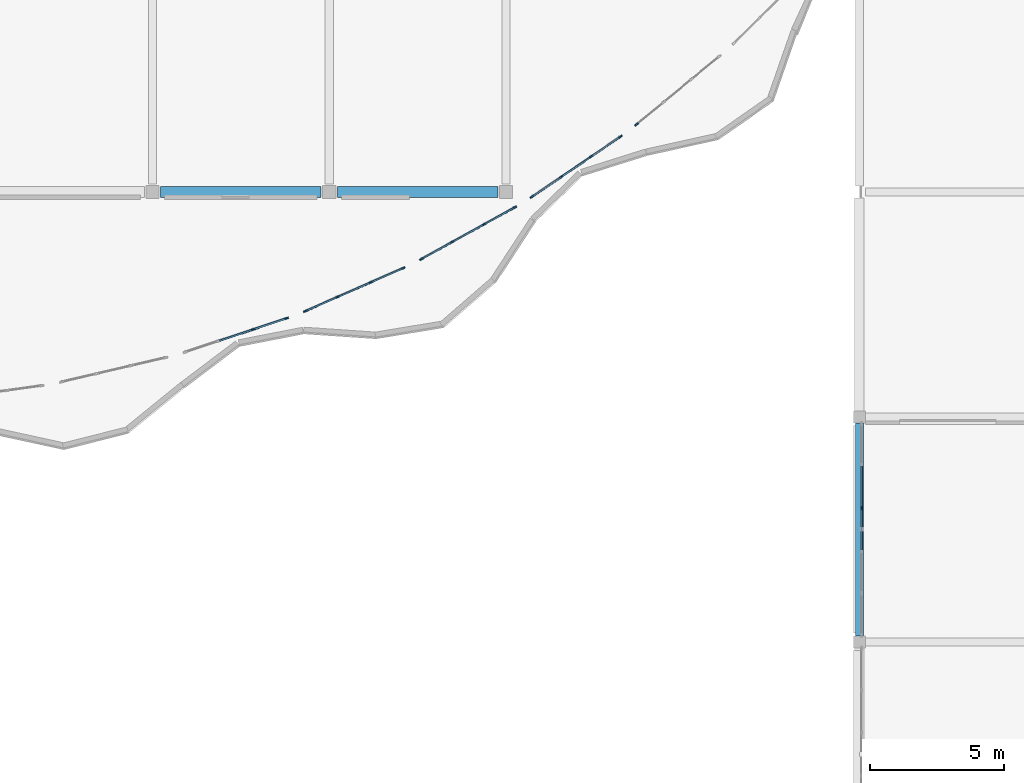
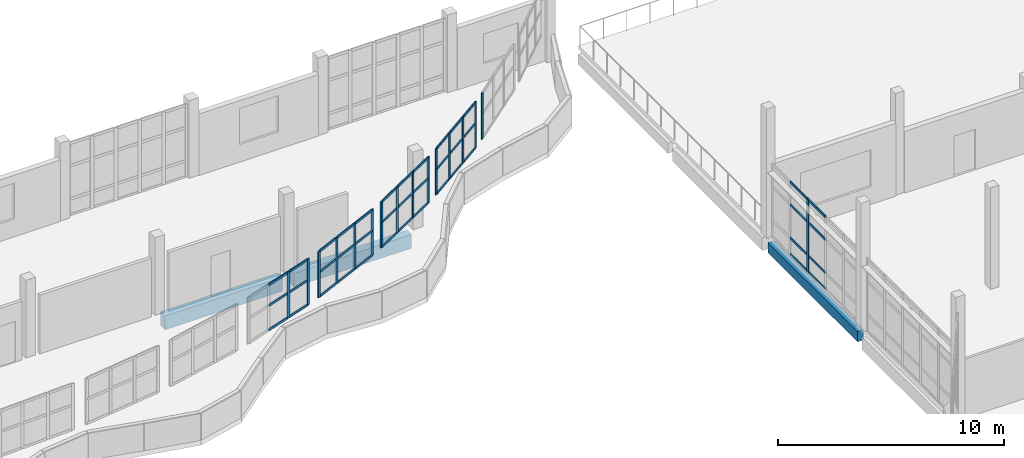
# One storey, part 35 of 78: 57 members, 3 beams, 6 elements without a shape of their own.
"""IFC4 building model written with IfcOpenShell, lengths in metres."""

from ifc_helpers import new_model, si_unit, direction, frame, origin, origin_2d, place, context, subcontext, project, spatial, rectangle, extrude, material, material_profile, profile_set, type_object, element, aggregate, save


model = new_model("IFC4")

# Units and contexts
model_context = context("Model", 3, precision=1e-05, world=origin(), true_north=direction((0.0, 1.0)))
body_context = subcontext(model_context, "Body", "Model", "MODEL_VIEW")
ifc_project = project(units=[si_unit("LENGTHUNIT", "METRE"), si_unit("AREAUNIT", "SQUARE_METRE"), si_unit("VOLUMEUNIT", "CUBIC_METRE"), si_unit("PLANEANGLEUNIT", "RADIAN"), si_unit("MASSUNIT", "GRAM", prefix="KILO")], contexts=[model_context])

# Site, building, storey
site_placement = place(None, origin())
site = spatial("IfcSite", under=ifc_project, at=site_placement, CompositionType="ELEMENT")
building_placement = place(site_placement, origin())
building = spatial("IfcBuilding", under=site, at=building_placement, Name="Qaldarim Faculty of Natural and Applied Sciences", CompositionType="ELEMENT")
storey_placement = place(building_placement, frame((0.0, 0.0, 18.60009765625)))
storey = spatial("IfcBuildingStorey", under=building, at=storey_placement, Name="L04", CompositionType="ELEMENT", Elevation=18.60009765625)

# Beams
ifc_material_1 = material(Name="Concrete C40/50", Category="concrete")
ifc_material_profile_1 = material_profile(ifc_material_1, rectangle(XDim=0.300048828125, YDim=0.550048828125, at=origin_2d()), Name="RC-B300x550")
ifc_profile_set_1 = profile_set([ifc_material_profile_1], Name="Concrete C40/50")
beam_type_1 = type_object("IfcBeamType", Name="FloorBeam-RC300x550", PredefinedType="BEAM", material=ifc_profile_set_1)
beam_placement = place(storey_placement, frame((151.800048828125, 92.625, -0.53515625), z_axis=(0.0, 1.0, 0.0), x_axis=(-1.0, 0.0, 0.0)))
element("IfcBeam", 1, at=beam_placement, inside=storey, type_object=beam_type_1, Name="Beam RC-B300x550 L03 X24/Y12-Y13", PredefinedType="BEAM", context=body_context, shape_type="SweptSolid", body=[
    extrude(rectangle(XDim=0.300048828125, YDim=0.550048828125, at=origin_2d()), origin(), (0.0, 0.0, 1.0), 7.949951171875),
])
ifc_material_2 = material(Name="Concrete C50/60", Category="concrete")
ifc_material_profile_2 = material_profile(ifc_material_2, rectangle(XDim=0.39990234375, YDim=0.75, at=origin_2d()), Name="RC-B400x750")
ifc_profile_set_2 = profile_set([ifc_material_profile_2], Name="Concrete C50/60")
beam_type_2 = type_object("IfcBeamType", Name="LabGirder-RC400x750", PredefinedType="BEAM", material=ifc_profile_set_2)
for number, where, z_axis, x_axis, name in (
    (2, (125.699951171875, 109.199951171875, -0.635009765625), (1.0, 0.0, 0.0), (0.0, 1.0, 0.0), "Beam RC-B400x750 L03 X20-X21/Y14"),
    (3, (132.300048828125, 109.199951171875, -0.635009765625), (1.0, 0.0, 0.0), (0.0, 1.0, 0.0), "Beam RC-B400x750 L03 X21-X22/Y14"),
):
    element("IfcBeam", number, at=place(storey_placement, frame(where, z_axis=z_axis, x_axis=x_axis)), inside=storey, type_object=beam_type_2, Name=name, PredefinedType="BEAM", context=body_context, shape_type="SweptSolid", body=[
        extrude(rectangle(XDim=0.39990234375, YDim=0.75, at=origin_2d()), origin(), (0.0, 0.0, 1.0), 6.0),
    ])

# Curtain wall, member
ifc_material_3 = material(Name="Anodised aluminium AW-6063", Category="aluminium")
curtain_wall_type_1 = type_object("IfcCurtainWallType", Name="CurtainWallSystem-M1600", PredefinedType="USERDEFINED", material=ifc_material_3)
curtain_wall_1_placement = place(storey_placement, origin())
curtain_wall_1 = element("IfcCurtainWall", 4, at=curtain_wall_1_placement, inside=storey, type_object=curtain_wall_type_1, Name="Curtain wall CW-L04-W-X24Y12", ObjectType="UNITISED FACADE", PredefinedType="USERDEFINED")
ifc_material_profile_3 = material_profile(ifc_material_3, rectangle(XDim=0.06005859375, YDim=0.14990234375, at=origin_2d()), Name="ALU-M60x150")
ifc_profile_set_3 = profile_set([ifc_material_profile_3], Name="Anodised aluminium AW-6063")
member_type_1 = type_object("IfcMemberType", Name="Mullion-ALU60x150", PredefinedType="MULLION", material=ifc_profile_set_3)
member_1_placement = place(storey_placement, frame((151.8798828125, 97.39599609375, 0.0), z_axis=(0.0, 0.0, 1.0), x_axis=(1.0, 0.0, 0.0)))
member_1 = element("IfcMember", 5, at=member_1_placement, type_object=member_type_1, Name="Mullion 3 of CW-L04-W-X24Y12", PredefinedType="MULLION", context=body_context, shape_type="SweptSolid", body=[
    extrude(rectangle(XDim=0.06005859375, YDim=0.14990234375, at=origin_2d()), origin(), (0.0, 0.0, 1.0), 3.93994140625),
])

# Curtain wall, members
curtain_wall_type_2 = type_object("IfcCurtainWallType", Name="CurtainWallSystem-M1400", PredefinedType="USERDEFINED", material=ifc_material_3)
curtain_wall_2_placement = place(storey_placement, origin())
curtain_wall_2 = element("IfcCurtainWall", 6, at=curtain_wall_2_placement, inside=storey, type_object=curtain_wall_type_2, Name="Curtain wall CW-V4ARC-L04-06", ObjectType="STICK CURTAIN WALL", PredefinedType="USERDEFINED")
member_2_placement = place(storey_placement, frame((129.151611328125, 104.063232421875, 1.449951171875), z_axis=(0.0, 0.0, 1.0), x_axis=(-0.316592858196, 0.94856152259, 0.0)))
member_2 = element("IfcMember", 7, at=member_2_placement, type_object=member_type_1, Name="Mullion 3 of CW-V4ARC-L04-06", PredefinedType="MULLION", context=body_context, shape_type="SweptSolid", body=[
    extrude(rectangle(XDim=0.06005859375, YDim=0.14990234375, at=origin_2d()), origin(), (0.0, 0.0, 1.0), 2.489990234375),
])
member_3_placement = place(storey_placement, frame((130.401611328125, 104.48046875, 1.449951171875), z_axis=(0.0, 0.0, 1.0), x_axis=(-0.316592858196, 0.94856152259, 0.0)))
member_3 = element("IfcMember", 8, at=member_3_placement, type_object=member_type_1, Name="Mullion 4 of CW-V4ARC-L04-06", PredefinedType="MULLION", context=body_context, shape_type="SweptSolid", body=[
    extrude(rectangle(XDim=0.06005859375, YDim=0.14990234375, at=origin_2d()), origin(), (0.0, 0.0, 1.0), 2.489990234375),
])

curtain_wall_3_placement = place(storey_placement, origin())
curtain_wall_3 = element("IfcCurtainWall", 9, at=curtain_wall_3_placement, inside=storey, type_object=curtain_wall_type_2, Name="Curtain wall CW-V4ARC-L04-08", ObjectType="STICK CURTAIN WALL", PredefinedType="USERDEFINED")
member_4_placement = place(storey_placement, frame((131.112548828125, 104.752197265625, 1.449951171875), z_axis=(0.0, 0.0, 1.0), x_axis=(-0.40269876371, 0.915332565632, 0.0)))
member_4 = element("IfcMember", 10, at=member_4_placement, type_object=member_type_1, Name="Mullion 1 of CW-V4ARC-L04-08", PredefinedType="MULLION", context=body_context, shape_type="SweptSolid", body=[
    extrude(rectangle(XDim=0.06005859375, YDim=0.14990234375, at=origin_2d()), origin(), (0.0, 0.0, 1.0), 2.489990234375),
])
member_5_placement = place(storey_placement, frame((132.320068359375, 105.283203125, 1.449951171875), z_axis=(0.0, 0.0, 1.0), x_axis=(-0.40269876371, 0.915332565632, 0.0)))
member_5 = element("IfcMember", 11, at=member_5_placement, type_object=member_type_1, Name="Mullion 2 of CW-V4ARC-L04-08", PredefinedType="MULLION", context=body_context, shape_type="SweptSolid", body=[
    extrude(rectangle(XDim=0.06005859375, YDim=0.14990234375, at=origin_2d()), origin(), (0.0, 0.0, 1.0), 2.489990234375),
])
member_6_placement = place(storey_placement, frame((133.554931640625, 105.82666015625, 1.449951171875), z_axis=(0.0, 0.0, 1.0), x_axis=(-0.40269876371, 0.915332565632, 0.0)))
member_6 = element("IfcMember", 12, at=member_6_placement, type_object=member_type_1, Name="Mullion 3 of CW-V4ARC-L04-08", PredefinedType="MULLION", context=body_context, shape_type="SweptSolid", body=[
    extrude(rectangle(XDim=0.06005859375, YDim=0.14990234375, at=origin_2d()), origin(), (0.0, 0.0, 1.0), 2.489990234375),
])
member_7_placement = place(storey_placement, frame((134.762451171875, 106.35791015625, 1.449951171875), z_axis=(0.0, 0.0, 1.0), x_axis=(-0.40269876371, 0.915332565632, 0.0)))
member_7 = element("IfcMember", 13, at=member_7_placement, type_object=member_type_1, Name="Mullion 4 of CW-V4ARC-L04-08", PredefinedType="MULLION", context=body_context, shape_type="SweptSolid", body=[
    extrude(rectangle(XDim=0.06005859375, YDim=0.14990234375, at=origin_2d()), origin(), (0.0, 0.0, 1.0), 2.489990234375),
])

curtain_wall_4_placement = place(storey_placement, origin())
curtain_wall_4 = element("IfcCurtainWall", 14, at=curtain_wall_4_placement, inside=storey, type_object=curtain_wall_type_2, Name="Curtain wall CW-V4ARC-L04-10", ObjectType="STICK CURTAIN WALL", PredefinedType="USERDEFINED")
member_8_placement = place(storey_placement, frame((135.441162109375, 106.694580078125, 1.449951171875), z_axis=(0.0, 0.0, 1.0), x_axis=(-0.484382142552, 0.874856525367, 0.0)))
member_8 = element("IfcMember", 15, at=member_8_placement, type_object=member_type_1, Name="Mullion 1 of CW-V4ARC-L04-10", PredefinedType="MULLION", context=body_context, shape_type="SweptSolid", body=[
    extrude(rectangle(XDim=0.06005859375, YDim=0.14990234375, at=origin_2d()), origin(), (0.0, 0.0, 1.0), 2.489990234375),
])
member_9_placement = place(storey_placement, frame((136.594970703125, 107.333251953125, 1.449951171875), z_axis=(0.0, 0.0, 1.0), x_axis=(-0.484382142552, 0.874856525367, 0.0)))
member_9 = element("IfcMember", 16, at=member_9_placement, type_object=member_type_1, Name="Mullion 2 of CW-V4ARC-L04-10", PredefinedType="MULLION", context=body_context, shape_type="SweptSolid", body=[
    extrude(rectangle(XDim=0.06005859375, YDim=0.14990234375, at=origin_2d()), origin(), (0.0, 0.0, 1.0), 2.489990234375),
])
member_10_placement = place(storey_placement, frame((137.77490234375, 107.98681640625, 1.449951171875), z_axis=(0.0, 0.0, 1.0), x_axis=(-0.484382142552, 0.874856525367, 0.0)))
member_10 = element("IfcMember", 17, at=member_10_placement, type_object=member_type_1, Name="Mullion 3 of CW-V4ARC-L04-10", PredefinedType="MULLION", context=body_context, shape_type="SweptSolid", body=[
    extrude(rectangle(XDim=0.06005859375, YDim=0.14990234375, at=origin_2d()), origin(), (0.0, 0.0, 1.0), 2.489990234375),
])
member_11_placement = place(storey_placement, frame((138.9287109375, 108.62548828125, 1.449951171875), z_axis=(0.0, 0.0, 1.0), x_axis=(-0.484382142552, 0.874856525367, 0.0)))
member_11 = element("IfcMember", 18, at=member_11_placement, type_object=member_type_1, Name="Mullion 4 of CW-V4ARC-L04-10", PredefinedType="MULLION", context=body_context, shape_type="SweptSolid", body=[
    extrude(rectangle(XDim=0.06005859375, YDim=0.14990234375, at=origin_2d()), origin(), (0.0, 0.0, 1.0), 2.489990234375),
])

curtain_wall_5_placement = place(storey_placement, origin())
curtain_wall_5 = element("IfcCurtainWall", 19, at=curtain_wall_5_placement, inside=storey, type_object=curtain_wall_type_2, Name="Curtain wall CW-V4ARC-L04-12", ObjectType="STICK CURTAIN WALL", PredefinedType="USERDEFINED")
member_12_placement = place(storey_placement, frame((139.57470703125, 109.02197265625, 1.449951171875), z_axis=(0.0, 0.0, 1.0), x_axis=(-0.562372049186, 0.826884319778, 0.0)))
member_12 = element("IfcMember", 20, at=member_12_placement, type_object=member_type_1, Name="Mullion 1 of CW-V4ARC-L04-12", PredefinedType="MULLION", context=body_context, shape_type="SweptSolid", body=[
    extrude(rectangle(XDim=0.06005859375, YDim=0.14990234375, at=origin_2d()), origin(), (0.0, 0.0, 1.0), 2.489990234375),
])
member_13_placement = place(storey_placement, frame((140.6650390625, 109.76318359375, 1.449951171875), z_axis=(0.0, 0.0, 1.0), x_axis=(-0.562372049186, 0.826884319778, 0.0)))
member_13 = element("IfcMember", 21, at=member_13_placement, type_object=member_type_1, Name="Mullion 2 of CW-V4ARC-L04-12", PredefinedType="MULLION", context=body_context, shape_type="SweptSolid", body=[
    extrude(rectangle(XDim=0.06005859375, YDim=0.14990234375, at=origin_2d()), origin(), (0.0, 0.0, 1.0), 2.489990234375),
])
member_14_placement = place(storey_placement, frame((141.780029296875, 110.521728515625, 1.449951171875), z_axis=(0.0, 0.0, 1.0), x_axis=(-0.562372049186, 0.826884319778, 0.0)))
member_14 = element("IfcMember", 22, at=member_14_placement, type_object=member_type_1, Name="Mullion 3 of CW-V4ARC-L04-12", PredefinedType="MULLION", context=body_context, shape_type="SweptSolid", body=[
    extrude(rectangle(XDim=0.06005859375, YDim=0.14990234375, at=origin_2d()), origin(), (0.0, 0.0, 1.0), 2.489990234375),
])
member_15_placement = place(storey_placement, frame((142.8701171875, 111.26318359375, 1.449951171875), z_axis=(0.0, 0.0, 1.0), x_axis=(-0.562372049186, 0.826884319778, 0.0)))
member_15 = element("IfcMember", 23, at=member_15_placement, type_object=member_type_1, Name="Mullion 4 of CW-V4ARC-L04-12", PredefinedType="MULLION", context=body_context, shape_type="SweptSolid", body=[
    extrude(rectangle(XDim=0.06005859375, YDim=0.14990234375, at=origin_2d()), origin(), (0.0, 0.0, 1.0), 2.489990234375),
])

# Curtain wall, member
curtain_wall_6_placement = place(storey_placement, origin())
curtain_wall_6 = element("IfcCurtainWall", 24, at=curtain_wall_6_placement, inside=storey, type_object=curtain_wall_type_2, Name="Curtain wall CW-V4ARC-L04-14", ObjectType="STICK CURTAIN WALL", PredefinedType="USERDEFINED")
member_16_placement = place(storey_placement, frame((143.478271484375, 111.718994140625, 1.449951171875), z_axis=(0.0, 0.0, 1.0), x_axis=(-0.635930067271, 0.771746687418, 0.0)))
member_16 = element("IfcMember", 25, at=member_16_placement, type_object=member_type_1, Name="Mullion 1 of CW-V4ARC-L04-14", PredefinedType="MULLION", context=body_context, shape_type="SweptSolid", body=[
    extrude(rectangle(XDim=0.06005859375, YDim=0.14990234375, at=origin_2d()), origin(), (0.0, 0.0, 1.0), 2.489990234375),
])
aggregate(curtain_wall_6, [member_16])

# Member
ifc_material_profile_4 = material_profile(ifc_material_3, rectangle(XDim=0.06005859375, YDim=0.1201171875, at=origin_2d()), Name="ALU-T60x120")
ifc_profile_set_4 = profile_set([ifc_material_profile_4], Name="Anodised aluminium AW-6063")
member_type_2 = type_object("IfcMemberType", Name="Transom-ALU60x120", PredefinedType="USERDEFINED", material=ifc_profile_set_4)
member_17_placement = place(storey_placement, frame((151.8798828125, 98.9580078125, 0.02978515625), z_axis=(0.0, -1.0, 0.0), x_axis=(1.0, 0.0, 0.0)))
member_17 = element("IfcMember", 26, at=member_17_placement, type_object=member_type_2, Name="Transom 2-1 of CW-L04-W-X24Y12", ObjectType="TRANSOM", PredefinedType="USERDEFINED", context=body_context, shape_type="SweptSolid", body=[
    extrude(rectangle(XDim=0.06005859375, YDim=0.1201171875, at=origin_2d()), origin(), (0.0, 0.0, 1.0), 1.531982421875),
])

member_18_placement = place(storey_placement, frame((151.8798828125, 98.9580078125, 0.89990234375), z_axis=(0.0, -1.0, 0.0), x_axis=(1.0, 0.0, 0.0)))
member_18 = element("IfcMember", 27, at=member_18_placement, type_object=member_type_2, Name="Transom 2-2 of CW-L04-W-X24Y12", ObjectType="TRANSOM", PredefinedType="USERDEFINED", context=body_context, shape_type="SweptSolid", body=[
    extrude(rectangle(XDim=0.06005859375, YDim=0.1201171875, at=origin_2d()), origin(), (0.0, 0.0, 1.0), 1.531982421875),
])

member_19_placement = place(storey_placement, frame((151.8798828125, 98.9580078125, 2.699951171875), z_axis=(0.0, -1.0, 0.0), x_axis=(1.0, 0.0, 0.0)))
member_19 = element("IfcMember", 28, at=member_19_placement, type_object=member_type_2, Name="Transom 2-3 of CW-L04-W-X24Y12", ObjectType="TRANSOM", PredefinedType="USERDEFINED", context=body_context, shape_type="SweptSolid", body=[
    extrude(rectangle(XDim=0.06005859375, YDim=0.1201171875, at=origin_2d()), origin(), (0.0, 0.0, 1.0), 1.531982421875),
])

member_20_placement = place(storey_placement, frame((151.8798828125, 98.9580078125, 3.909912109375), z_axis=(0.0, -1.0, 0.0), x_axis=(1.0, 0.0, 0.0)))
member_20 = element("IfcMember", 29, at=member_20_placement, type_object=member_type_2, Name="Transom 2-4 of CW-L04-W-X24Y12", ObjectType="TRANSOM", PredefinedType="USERDEFINED", context=body_context, shape_type="SweptSolid", body=[
    extrude(rectangle(XDim=0.06005859375, YDim=0.1201171875, at=origin_2d()), origin(), (0.0, 0.0, 1.0), 1.531982421875),
])

member_21_placement = place(storey_placement, frame((151.8798828125, 97.365966796875, 0.02978515625), z_axis=(0.0, -1.0, 0.0), x_axis=(1.0, 0.0, 0.0)))
member_21 = element("IfcMember", 30, at=member_21_placement, type_object=member_type_2, Name="Transom 3-1 of CW-L04-W-X24Y12", ObjectType="TRANSOM", PredefinedType="USERDEFINED", context=body_context, shape_type="SweptSolid", body=[
    extrude(rectangle(XDim=0.06005859375, YDim=0.1201171875, at=origin_2d()), origin(), (0.0, 0.0, 1.0), 1.531982421875),
])

member_22_placement = place(storey_placement, frame((151.8798828125, 97.365966796875, 0.89990234375), z_axis=(0.0, -1.0, 0.0), x_axis=(1.0, 0.0, 0.0)))
member_22 = element("IfcMember", 31, at=member_22_placement, type_object=member_type_2, Name="Transom 3-2 of CW-L04-W-X24Y12", ObjectType="TRANSOM", PredefinedType="USERDEFINED", context=body_context, shape_type="SweptSolid", body=[
    extrude(rectangle(XDim=0.06005859375, YDim=0.1201171875, at=origin_2d()), origin(), (0.0, 0.0, 1.0), 1.531982421875),
])

member_23_placement = place(storey_placement, frame((151.8798828125, 97.365966796875, 2.699951171875), z_axis=(0.0, -1.0, 0.0), x_axis=(1.0, 0.0, 0.0)))
member_23 = element("IfcMember", 32, at=member_23_placement, type_object=member_type_2, Name="Transom 3-3 of CW-L04-W-X24Y12", ObjectType="TRANSOM", PredefinedType="USERDEFINED", context=body_context, shape_type="SweptSolid", body=[
    extrude(rectangle(XDim=0.06005859375, YDim=0.1201171875, at=origin_2d()), origin(), (0.0, 0.0, 1.0), 1.531982421875),
])

member_24_placement = place(storey_placement, frame((151.8798828125, 97.365966796875, 3.909912109375), z_axis=(0.0, -1.0, 0.0), x_axis=(1.0, 0.0, 0.0)))
member_24 = element("IfcMember", 33, at=member_24_placement, type_object=member_type_2, Name="Transom 3-4 of CW-L04-W-X24Y12", ObjectType="TRANSOM", PredefinedType="USERDEFINED", context=body_context, shape_type="SweptSolid", body=[
    extrude(rectangle(XDim=0.06005859375, YDim=0.1201171875, at=origin_2d()), origin(), (0.0, 0.0, 1.0), 1.531982421875),
])

aggregate(curtain_wall_1, [member_1, member_17, member_18, member_19, member_20, member_21, member_22, member_23, member_24])

member_25_placement = place(storey_placement, frame((127.90185546875, 103.646240234375, 1.47998046875), z_axis=(0.948607427677, 0.316455286187, 0.0), x_axis=(-0.316455286187, 0.948607427677, 0.0)))
member_25 = element("IfcMember", 34, at=member_25_placement, type_object=member_type_2, Name="Transom 2-1 of CW-V4ARC-L04-06", ObjectType="TRANSOM", PredefinedType="USERDEFINED", context=body_context, shape_type="SweptSolid", body=[
    extrude(rectangle(XDim=0.06005859375, YDim=0.1201171875, at=origin_2d()), origin(), (0.0, 0.0, 1.0), 1.28759765625),
])

member_26_placement = place(storey_placement, frame((127.90185546875, 103.646240234375, 2.7998046875), z_axis=(0.948607427677, 0.316455286187, 0.0), x_axis=(-0.316455286187, 0.948607427677, 0.0)))
member_26 = element("IfcMember", 35, at=member_26_placement, type_object=member_type_2, Name="Transom 2-2 of CW-V4ARC-L04-06", ObjectType="TRANSOM", PredefinedType="USERDEFINED", context=body_context, shape_type="SweptSolid", body=[
    extrude(rectangle(XDim=0.06005859375, YDim=0.1201171875, at=origin_2d()), origin(), (0.0, 0.0, 1.0), 1.28759765625),
])

member_27_placement = place(storey_placement, frame((127.90185546875, 103.646240234375, 3.909912109375), z_axis=(0.948607427677, 0.316455286187, 0.0), x_axis=(-0.316455286187, 0.948607427677, 0.0)))
member_27 = element("IfcMember", 36, at=member_27_placement, type_object=member_type_2, Name="Transom 2-3 of CW-V4ARC-L04-06", ObjectType="TRANSOM", PredefinedType="USERDEFINED", context=body_context, shape_type="SweptSolid", body=[
    extrude(rectangle(XDim=0.06005859375, YDim=0.1201171875, at=origin_2d()), origin(), (0.0, 0.0, 1.0), 1.28759765625),
])

member_28_placement = place(storey_placement, frame((129.18017578125, 104.07275390625, 1.47998046875), z_axis=(0.948547315421, 0.31663542191, 0.0), x_axis=(-0.31663542191, 0.948547315421, 0.0)))
member_28 = element("IfcMember", 37, at=member_28_placement, type_object=member_type_2, Name="Transom 3-1 of CW-V4ARC-L04-06", ObjectType="TRANSOM", PredefinedType="USERDEFINED", context=body_context, shape_type="SweptSolid", body=[
    extrude(rectangle(XDim=0.06005859375, YDim=0.1201171875, at=origin_2d()), origin(), (0.0, 0.0, 1.0), 1.257568359375),
])

member_29_placement = place(storey_placement, frame((129.18017578125, 104.07275390625, 2.7998046875), z_axis=(0.948547315421, 0.31663542191, 0.0), x_axis=(-0.31663542191, 0.948547315421, 0.0)))
member_29 = element("IfcMember", 38, at=member_29_placement, type_object=member_type_2, Name="Transom 3-2 of CW-V4ARC-L04-06", ObjectType="TRANSOM", PredefinedType="USERDEFINED", context=body_context, shape_type="SweptSolid", body=[
    extrude(rectangle(XDim=0.06005859375, YDim=0.1201171875, at=origin_2d()), origin(), (0.0, 0.0, 1.0), 1.257568359375),
])

member_30_placement = place(storey_placement, frame((129.18017578125, 104.07275390625, 3.909912109375), z_axis=(0.948547315421, 0.31663542191, 0.0), x_axis=(-0.31663542191, 0.948547315421, 0.0)))
member_30 = element("IfcMember", 39, at=member_30_placement, type_object=member_type_2, Name="Transom 3-3 of CW-V4ARC-L04-06", ObjectType="TRANSOM", PredefinedType="USERDEFINED", context=body_context, shape_type="SweptSolid", body=[
    extrude(rectangle(XDim=0.06005859375, YDim=0.1201171875, at=origin_2d()), origin(), (0.0, 0.0, 1.0), 1.257568359375),
])

aggregate(curtain_wall_2, [member_2, member_3, member_25, member_26, member_27, member_28, member_29, member_30])

member_31_placement = place(storey_placement, frame((131.139892578125, 104.76416015625, 1.47998046875), z_axis=(0.915332184978, 0.402699628934, 0.0), x_axis=(-0.402699628934, 0.915332184978, 0.0)))
member_31 = element("IfcMember", 40, at=member_31_placement, type_object=member_type_2, Name="Transom 1-1 of CW-V4ARC-L04-08", ObjectType="TRANSOM", PredefinedType="USERDEFINED", context=body_context, shape_type="SweptSolid", body=[
    extrude(rectangle(XDim=0.06005859375, YDim=0.1201171875, at=origin_2d()), origin(), (0.0, 0.0, 1.0), 1.25927734375),
])

member_32_placement = place(storey_placement, frame((131.139892578125, 104.76416015625, 2.7998046875), z_axis=(0.915332184978, 0.402699628934, 0.0), x_axis=(-0.402699628934, 0.915332184978, 0.0)))
member_32 = element("IfcMember", 41, at=member_32_placement, type_object=member_type_2, Name="Transom 1-2 of CW-V4ARC-L04-08", ObjectType="TRANSOM", PredefinedType="USERDEFINED", context=body_context, shape_type="SweptSolid", body=[
    extrude(rectangle(XDim=0.06005859375, YDim=0.1201171875, at=origin_2d()), origin(), (0.0, 0.0, 1.0), 1.25927734375),
])

member_33_placement = place(storey_placement, frame((131.139892578125, 104.76416015625, 3.909912109375), z_axis=(0.915332184978, 0.402699628934, 0.0), x_axis=(-0.402699628934, 0.915332184978, 0.0)))
member_33 = element("IfcMember", 42, at=member_33_placement, type_object=member_type_2, Name="Transom 1-3 of CW-V4ARC-L04-08", ObjectType="TRANSOM", PredefinedType="USERDEFINED", context=body_context, shape_type="SweptSolid", body=[
    extrude(rectangle(XDim=0.06005859375, YDim=0.1201171875, at=origin_2d()), origin(), (0.0, 0.0, 1.0), 1.25927734375),
])

member_34_placement = place(storey_placement, frame((132.347412109375, 105.29541015625, 1.47998046875), z_axis=(0.915312240394, 0.402744959726, 0.0), x_axis=(-0.402744959726, 0.915312240394, 0.0)))
member_34 = element("IfcMember", 43, at=member_34_placement, type_object=member_type_2, Name="Transom 2-1 of CW-V4ARC-L04-08", ObjectType="TRANSOM", PredefinedType="USERDEFINED", context=body_context, shape_type="SweptSolid", body=[
    extrude(rectangle(XDim=0.06005859375, YDim=0.1201171875, at=origin_2d()), origin(), (0.0, 0.0, 1.0), 1.289306640625),
])

member_35_placement = place(storey_placement, frame((132.347412109375, 105.29541015625, 2.7998046875), z_axis=(0.915312240394, 0.402744959726, 0.0), x_axis=(-0.402744959726, 0.915312240394, 0.0)))
member_35 = element("IfcMember", 44, at=member_35_placement, type_object=member_type_2, Name="Transom 2-2 of CW-V4ARC-L04-08", ObjectType="TRANSOM", PredefinedType="USERDEFINED", context=body_context, shape_type="SweptSolid", body=[
    extrude(rectangle(XDim=0.06005859375, YDim=0.1201171875, at=origin_2d()), origin(), (0.0, 0.0, 1.0), 1.289306640625),
])

member_36_placement = place(storey_placement, frame((132.347412109375, 105.29541015625, 3.909912109375), z_axis=(0.915312240394, 0.402744959726, 0.0), x_axis=(-0.402744959726, 0.915312240394, 0.0)))
member_36 = element("IfcMember", 45, at=member_36_placement, type_object=member_type_2, Name="Transom 2-3 of CW-V4ARC-L04-08", ObjectType="TRANSOM", PredefinedType="USERDEFINED", context=body_context, shape_type="SweptSolid", body=[
    extrude(rectangle(XDim=0.06005859375, YDim=0.1201171875, at=origin_2d()), origin(), (0.0, 0.0, 1.0), 1.289306640625),
])

member_37_placement = place(storey_placement, frame((133.58251953125, 105.838623046875, 1.47998046875), z_axis=(0.915332184978, 0.402699628934, 0.0), x_axis=(-0.402699628934, 0.915332184978, 0.0)))
member_37 = element("IfcMember", 46, at=member_37_placement, type_object=member_type_2, Name="Transom 3-1 of CW-V4ARC-L04-08", ObjectType="TRANSOM", PredefinedType="USERDEFINED", context=body_context, shape_type="SweptSolid", body=[
    extrude(rectangle(XDim=0.06005859375, YDim=0.1201171875, at=origin_2d()), origin(), (0.0, 0.0, 1.0), 1.25927734375),
])

member_38_placement = place(storey_placement, frame((133.58251953125, 105.838623046875, 2.7998046875), z_axis=(0.915332184978, 0.402699628934, 0.0), x_axis=(-0.402699628934, 0.915332184978, 0.0)))
member_38 = element("IfcMember", 47, at=member_38_placement, type_object=member_type_2, Name="Transom 3-2 of CW-V4ARC-L04-08", ObjectType="TRANSOM", PredefinedType="USERDEFINED", context=body_context, shape_type="SweptSolid", body=[
    extrude(rectangle(XDim=0.06005859375, YDim=0.1201171875, at=origin_2d()), origin(), (0.0, 0.0, 1.0), 1.25927734375),
])

member_39_placement = place(storey_placement, frame((133.58251953125, 105.838623046875, 3.909912109375), z_axis=(0.915332184978, 0.402699628934, 0.0), x_axis=(-0.402699628934, 0.915332184978, 0.0)))
member_39 = element("IfcMember", 48, at=member_39_placement, type_object=member_type_2, Name="Transom 3-3 of CW-V4ARC-L04-08", ObjectType="TRANSOM", PredefinedType="USERDEFINED", context=body_context, shape_type="SweptSolid", body=[
    extrude(rectangle(XDim=0.06005859375, YDim=0.1201171875, at=origin_2d()), origin(), (0.0, 0.0, 1.0), 1.25927734375),
])

aggregate(curtain_wall_3, [member_4, member_5, member_6, member_7, member_31, member_32, member_33, member_34, member_35, member_36, member_37, member_38, member_39])

member_40_placement = place(storey_placement, frame((135.467529296875, 106.708984375, 1.47998046875), z_axis=(0.874824232123, 0.484440463721, 0.0), x_axis=(-0.484440463721, 0.874824232123, 0.0)))
member_40 = element("IfcMember", 49, at=member_40_placement, type_object=member_type_2, Name="Transom 1-1 of CW-V4ARC-L04-10", ObjectType="TRANSOM", PredefinedType="USERDEFINED", context=body_context, shape_type="SweptSolid", body=[
    extrude(rectangle(XDim=0.06005859375, YDim=0.1201171875, at=origin_2d()), origin(), (0.0, 0.0, 1.0), 1.2587890625),
])

member_41_placement = place(storey_placement, frame((135.467529296875, 106.708984375, 2.7998046875), z_axis=(0.874824232123, 0.484440463721, 0.0), x_axis=(-0.484440463721, 0.874824232123, 0.0)))
member_41 = element("IfcMember", 50, at=member_41_placement, type_object=member_type_2, Name="Transom 1-2 of CW-V4ARC-L04-10", ObjectType="TRANSOM", PredefinedType="USERDEFINED", context=body_context, shape_type="SweptSolid", body=[
    extrude(rectangle(XDim=0.06005859375, YDim=0.1201171875, at=origin_2d()), origin(), (0.0, 0.0, 1.0), 1.2587890625),
])

member_42_placement = place(storey_placement, frame((135.467529296875, 106.708984375, 3.909912109375), z_axis=(0.874824232123, 0.484440463721, 0.0), x_axis=(-0.484440463721, 0.874824232123, 0.0)))
member_42 = element("IfcMember", 51, at=member_42_placement, type_object=member_type_2, Name="Transom 1-3 of CW-V4ARC-L04-10", ObjectType="TRANSOM", PredefinedType="USERDEFINED", context=body_context, shape_type="SweptSolid", body=[
    extrude(rectangle(XDim=0.06005859375, YDim=0.1201171875, at=origin_2d()), origin(), (0.0, 0.0, 1.0), 1.2587890625),
])

member_43_placement = place(storey_placement, frame((136.62109375, 107.347900390625, 1.47998046875), z_axis=(0.874888908456, 0.484323649908, 0.0), x_axis=(-0.484323649908, 0.874888908456, 0.0)))
member_43 = element("IfcMember", 52, at=member_43_placement, type_object=member_type_2, Name="Transom 2-1 of CW-V4ARC-L04-10", ObjectType="TRANSOM", PredefinedType="USERDEFINED", context=body_context, shape_type="SweptSolid", body=[
    extrude(rectangle(XDim=0.06005859375, YDim=0.1201171875, at=origin_2d()), origin(), (0.0, 0.0, 1.0), 1.2890625),
])

member_44_placement = place(storey_placement, frame((136.62109375, 107.347900390625, 2.7998046875), z_axis=(0.874888908456, 0.484323649908, 0.0), x_axis=(-0.484323649908, 0.874888908456, 0.0)))
member_44 = element("IfcMember", 53, at=member_44_placement, type_object=member_type_2, Name="Transom 2-2 of CW-V4ARC-L04-10", ObjectType="TRANSOM", PredefinedType="USERDEFINED", context=body_context, shape_type="SweptSolid", body=[
    extrude(rectangle(XDim=0.06005859375, YDim=0.1201171875, at=origin_2d()), origin(), (0.0, 0.0, 1.0), 1.2890625),
])

member_45_placement = place(storey_placement, frame((136.62109375, 107.347900390625, 3.909912109375), z_axis=(0.874888908456, 0.484323649908, 0.0), x_axis=(-0.484323649908, 0.874888908456, 0.0)))
member_45 = element("IfcMember", 54, at=member_45_placement, type_object=member_type_2, Name="Transom 2-3 of CW-V4ARC-L04-10", ObjectType="TRANSOM", PredefinedType="USERDEFINED", context=body_context, shape_type="SweptSolid", body=[
    extrude(rectangle(XDim=0.06005859375, YDim=0.1201171875, at=origin_2d()), origin(), (0.0, 0.0, 1.0), 1.2890625),
])

member_46_placement = place(storey_placement, frame((137.80126953125, 108.001220703125, 1.47998046875), z_axis=(0.874906415399, 0.484292023776, 0.0), x_axis=(-0.484292023776, 0.874906415399, 0.0)))
member_46 = element("IfcMember", 55, at=member_46_placement, type_object=member_type_2, Name="Transom 3-1 of CW-V4ARC-L04-10", ObjectType="TRANSOM", PredefinedType="USERDEFINED", context=body_context, shape_type="SweptSolid", body=[
    extrude(rectangle(XDim=0.06005859375, YDim=0.1201171875, at=origin_2d()), origin(), (0.0, 0.0, 1.0), 1.2587890625),
])

member_47_placement = place(storey_placement, frame((137.80126953125, 108.001220703125, 2.7998046875), z_axis=(0.874906415399, 0.484292023776, 0.0), x_axis=(-0.484292023776, 0.874906415399, 0.0)))
member_47 = element("IfcMember", 56, at=member_47_placement, type_object=member_type_2, Name="Transom 3-2 of CW-V4ARC-L04-10", ObjectType="TRANSOM", PredefinedType="USERDEFINED", context=body_context, shape_type="SweptSolid", body=[
    extrude(rectangle(XDim=0.06005859375, YDim=0.1201171875, at=origin_2d()), origin(), (0.0, 0.0, 1.0), 1.2587890625),
])

member_48_placement = place(storey_placement, frame((137.80126953125, 108.001220703125, 3.909912109375), z_axis=(0.874906415399, 0.484292023776, 0.0), x_axis=(-0.484292023776, 0.874906415399, 0.0)))
member_48 = element("IfcMember", 57, at=member_48_placement, type_object=member_type_2, Name="Transom 3-3 of CW-V4ARC-L04-10", ObjectType="TRANSOM", PredefinedType="USERDEFINED", context=body_context, shape_type="SweptSolid", body=[
    extrude(rectangle(XDim=0.06005859375, YDim=0.1201171875, at=origin_2d()), origin(), (0.0, 0.0, 1.0), 1.2587890625),
])

aggregate(curtain_wall_4, [member_8, member_9, member_10, member_11, member_40, member_41, member_42, member_43, member_44, member_45, member_46, member_47, member_48])

member_49_placement = place(storey_placement, frame((139.599609375, 109.038818359375, 1.47998046875), z_axis=(0.826850717862, 0.562421452624, 0.0), x_axis=(-0.562421452624, 0.826850717862, 0.0)))
member_49 = element("IfcMember", 58, at=member_49_placement, type_object=member_type_2, Name="Transom 1-1 of CW-V4ARC-L04-12", ObjectType="TRANSOM", PredefinedType="USERDEFINED", context=body_context, shape_type="SweptSolid", body=[
    extrude(rectangle(XDim=0.06005859375, YDim=0.1201171875, at=origin_2d()), origin(), (0.0, 0.0, 1.0), 1.25830078125),
])

member_50_placement = place(storey_placement, frame((139.599609375, 109.038818359375, 2.7998046875), z_axis=(0.826850717862, 0.562421452624, 0.0), x_axis=(-0.562421452624, 0.826850717862, 0.0)))
member_50 = element("IfcMember", 59, at=member_50_placement, type_object=member_type_2, Name="Transom 1-2 of CW-V4ARC-L04-12", ObjectType="TRANSOM", PredefinedType="USERDEFINED", context=body_context, shape_type="SweptSolid", body=[
    extrude(rectangle(XDim=0.06005859375, YDim=0.1201171875, at=origin_2d()), origin(), (0.0, 0.0, 1.0), 1.25830078125),
])

member_51_placement = place(storey_placement, frame((139.599609375, 109.038818359375, 3.909912109375), z_axis=(0.826850717862, 0.562421452624, 0.0), x_axis=(-0.562421452624, 0.826850717862, 0.0)))
member_51 = element("IfcMember", 60, at=member_51_placement, type_object=member_type_2, Name="Transom 1-3 of CW-V4ARC-L04-12", ObjectType="TRANSOM", PredefinedType="USERDEFINED", context=body_context, shape_type="SweptSolid", body=[
    extrude(rectangle(XDim=0.06005859375, YDim=0.1201171875, at=origin_2d()), origin(), (0.0, 0.0, 1.0), 1.25830078125),
])

member_52_placement = place(storey_placement, frame((140.689697265625, 109.7802734375, 1.47998046875), z_axis=(0.826884209123, 0.562372211887, 0.0), x_axis=(-0.562372211887, 0.826884209123, 0.0)))
member_52 = element("IfcMember", 61, at=member_52_placement, type_object=member_type_2, Name="Transom 2-1 of CW-V4ARC-L04-12", ObjectType="TRANSOM", PredefinedType="USERDEFINED", context=body_context, shape_type="SweptSolid", body=[
    extrude(rectangle(XDim=0.06005859375, YDim=0.1201171875, at=origin_2d()), origin(), (0.0, 0.0, 1.0), 1.28857421875),
])

member_53_placement = place(storey_placement, frame((140.689697265625, 109.7802734375, 2.7998046875), z_axis=(0.826884209123, 0.562372211887, 0.0), x_axis=(-0.562372211887, 0.826884209123, 0.0)))
member_53 = element("IfcMember", 62, at=member_53_placement, type_object=member_type_2, Name="Transom 2-2 of CW-V4ARC-L04-12", ObjectType="TRANSOM", PredefinedType="USERDEFINED", context=body_context, shape_type="SweptSolid", body=[
    extrude(rectangle(XDim=0.06005859375, YDim=0.1201171875, at=origin_2d()), origin(), (0.0, 0.0, 1.0), 1.28857421875),
])

member_54_placement = place(storey_placement, frame((140.689697265625, 109.7802734375, 3.909912109375), z_axis=(0.826884209123, 0.562372211887, 0.0), x_axis=(-0.562372211887, 0.826884209123, 0.0)))
member_54 = element("IfcMember", 63, at=member_54_placement, type_object=member_type_2, Name="Transom 2-3 of CW-V4ARC-L04-12", ObjectType="TRANSOM", PredefinedType="USERDEFINED", context=body_context, shape_type="SweptSolid", body=[
    extrude(rectangle(XDim=0.06005859375, YDim=0.1201171875, at=origin_2d()), origin(), (0.0, 0.0, 1.0), 1.28857421875),
])

member_55_placement = place(storey_placement, frame((141.8046875, 110.53857421875, 1.47998046875), z_axis=(0.826912070455, 0.562331243784, 0.0), x_axis=(-0.562331243784, 0.826912070455, 0.0)))
member_55 = element("IfcMember", 64, at=member_55_placement, type_object=member_type_2, Name="Transom 3-1 of CW-V4ARC-L04-12", ObjectType="TRANSOM", PredefinedType="USERDEFINED", context=body_context, shape_type="SweptSolid", body=[
    extrude(rectangle(XDim=0.06005859375, YDim=0.1201171875, at=origin_2d()), origin(), (0.0, 0.0, 1.0), 1.258544921875),
])

member_56_placement = place(storey_placement, frame((141.8046875, 110.53857421875, 2.7998046875), z_axis=(0.826912070455, 0.562331243784, 0.0), x_axis=(-0.562331243784, 0.826912070455, 0.0)))
member_56 = element("IfcMember", 65, at=member_56_placement, type_object=member_type_2, Name="Transom 3-2 of CW-V4ARC-L04-12", ObjectType="TRANSOM", PredefinedType="USERDEFINED", context=body_context, shape_type="SweptSolid", body=[
    extrude(rectangle(XDim=0.06005859375, YDim=0.1201171875, at=origin_2d()), origin(), (0.0, 0.0, 1.0), 1.258544921875),
])

member_57_placement = place(storey_placement, frame((141.8046875, 110.53857421875, 3.909912109375), z_axis=(0.826912070455, 0.562331243784, 0.0), x_axis=(-0.562331243784, 0.826912070455, 0.0)))
member_57 = element("IfcMember", 66, at=member_57_placement, type_object=member_type_2, Name="Transom 3-3 of CW-V4ARC-L04-12", ObjectType="TRANSOM", PredefinedType="USERDEFINED", context=body_context, shape_type="SweptSolid", body=[
    extrude(rectangle(XDim=0.06005859375, YDim=0.1201171875, at=origin_2d()), origin(), (0.0, 0.0, 1.0), 1.258544921875),
])

aggregate(curtain_wall_5, [member_12, member_13, member_14, member_15, member_49, member_50, member_51, member_52, member_53, member_54, member_55, member_56, member_57])

save(model, "model.ifc")
